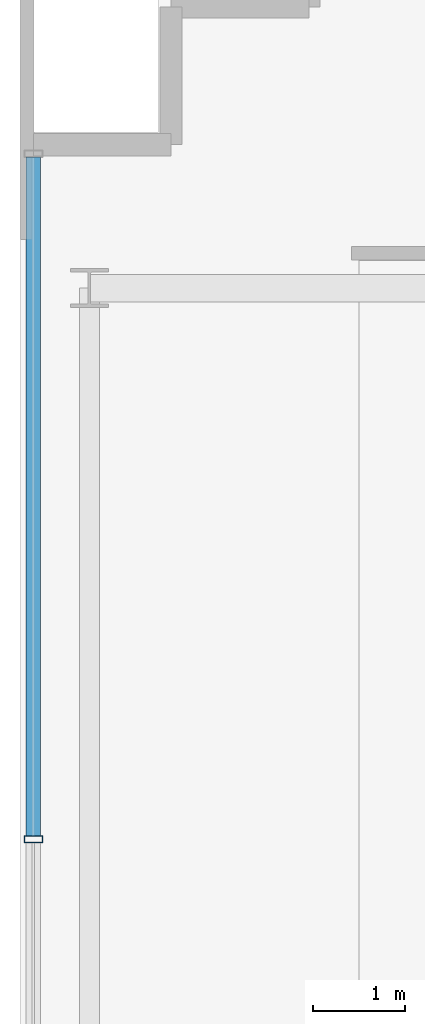
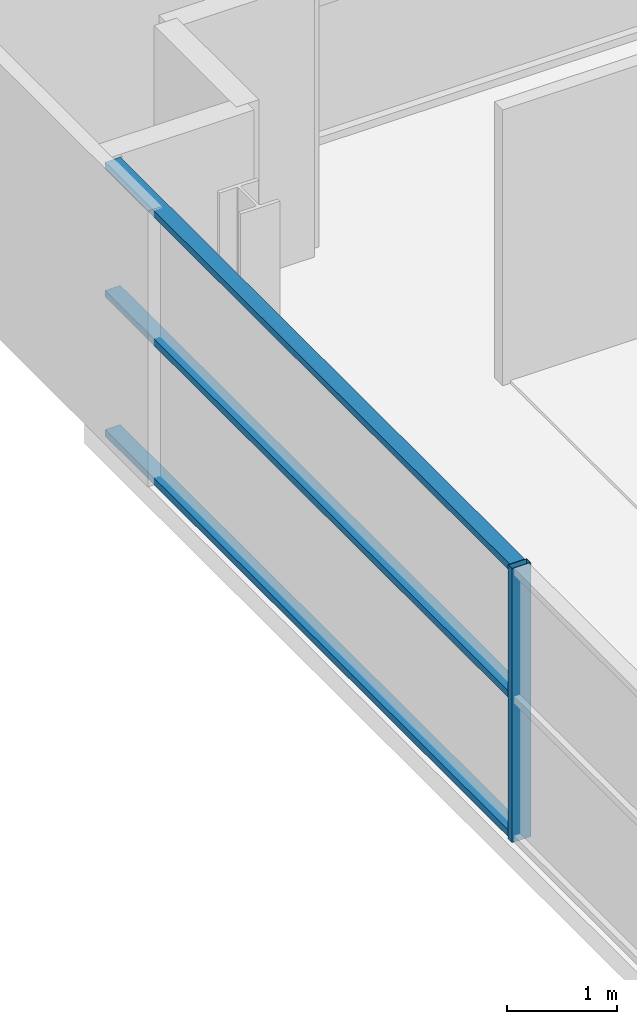
# One storey, part 10 of 30: 4 members, 1 element without a shape of its own.
"""IFC4 building model written with IfcOpenShell, lengths in metres."""

from ifc_helpers import new_model, si_unit, direction, frame, origin, origin_2d, place, context, subcontext, project, spatial, hollow_rectangle, extrude, source, transform, mapped, material, layer, layer_set, material_profile, profile_set, type_object, element, aggregate, save


model = new_model("IFC4")

# Units and contexts
model_context = context("Model", 3, precision=1e-05, world=origin(), true_north=direction((0.0, 1.0)))
body_context = subcontext(model_context, "Body", "Model", "MODEL_VIEW")
ifc_project = project(units=[si_unit("LENGTHUNIT", "METRE"), si_unit("AREAUNIT", "SQUARE_METRE"), si_unit("VOLUMEUNIT", "CUBIC_METRE"), si_unit("PLANEANGLEUNIT", "RADIAN"), si_unit("MASSUNIT", "GRAM", prefix="KILO")], contexts=[model_context])

# Site, building, storey
site_placement = place(None, origin())
site = spatial("IfcSite", under=ifc_project, at=site_placement, CompositionType="ELEMENT")
building_placement = place(site_placement, origin())
building = spatial("IfcBuilding", under=site, at=building_placement, Name="Zarnakvel Exchange Tower", CompositionType="ELEMENT")
storey_placement = place(building_placement, frame((0.0, 0.0, 50.5)))
storey = spatial("IfcBuildingStorey", under=building, at=storey_placement, Name="L13", CompositionType="ELEMENT", Elevation=50.5)

# Curtain wall, members
ifc_material = material(Name="Architectural Bronze Anodised Aluminium", Category="aluminium")
ifc_layer = layer(ifc_material, 0.199951171875)
ifc_layer_set = layer_set([ifc_layer], Name="Architectural Bronze Anodised Aluminium")
curtain_wall_type = type_object("IfcCurtainWallType", Name="CW-04", PredefinedType="NOTDEFINED", material=ifc_layer_set)
curtain_wall_placement = place(storey_placement, origin())
curtain_wall = element("IfcCurtainWall", 1, at=curtain_wall_placement, inside=storey, type_object=curtain_wall_type, Name="L13 Curtain Wall CW-L13-W1 (CW-04)", PredefinedType="NOTDEFINED")
ifc_material_profile_1 = material_profile(ifc_material, hollow_rectangle(XDim=0.159912109375, YDim=0.074951171875, WallThickness=0.00390625, at=origin_2d()))
ifc_profile_set_1 = profile_set([ifc_material_profile_1], Name="Architectural Bronze Anodised Aluminium")
member_type_1 = type_object("IfcMemberType", Name="CWT-04", PredefinedType="USERDEFINED", material=ifc_profile_set_1)
shared_shape_1 = source(origin(), body_context, "Body", "SweptSolid", [
    extrude(hollow_rectangle(XDim=0.159912109375, YDim=0.074951171875, WallThickness=0.00390625, at=origin_2d()), origin(), (0.0, 0.0, 1.0), 7.387451171875),
])
member_1_placement = place(storey_placement, frame((-32.4599609375, 7.53759765625, 0.03759765625), z_axis=(0.0, 1.0, 0.0), x_axis=(-1.0, 0.0, 0.0)))
member_1 = element("IfcMember", 2, at=member_1_placement, type_object=member_type_1, Name="CW-04 transom 4.1", ObjectType="TRANSOM", PredefinedType="USERDEFINED", context=body_context, shape_type="MappedRepresentation", body=[
    mapped(shared_shape_1, transform((0.0, 0.0, 0.0), x_axis=(1.0, 0.0, 0.0), y_axis=(0.0, 1.0, 0.0), z_axis=(0.0, 0.0, 1.0), scale=1.0)),
])
member_2_placement = place(storey_placement, frame((-32.4599609375, 7.53759765625, 1.588623046875), z_axis=(0.0, 1.0, 0.0), x_axis=(-1.0, 0.0, 0.0)))
member_2 = element("IfcMember", 3, at=member_2_placement, type_object=member_type_1, Name="CW-04 transom 4.2", ObjectType="TRANSOM", PredefinedType="USERDEFINED", context=body_context, shape_type="MappedRepresentation", body=[
    mapped(shared_shape_1, transform((0.0, 0.0, 0.0), x_axis=(1.0, 0.0, 0.0), y_axis=(0.0, 1.0, 0.0), z_axis=(0.0, 0.0, 1.0), scale=1.0)),
])
member_3_placement = place(storey_placement, frame((-32.4599609375, 7.53759765625, 3.017578125), z_axis=(0.0, 1.0, 0.0), x_axis=(-1.0, 0.0, 0.0)))
member_3 = element("IfcMember", 4, at=member_3_placement, type_object=member_type_1, Name="CW-04 transom 4.3", ObjectType="TRANSOM", PredefinedType="USERDEFINED", context=body_context, shape_type="MappedRepresentation", body=[
    mapped(shared_shape_1, transform((0.0, 0.0, 0.0), x_axis=(1.0, 0.0, 0.0), y_axis=(0.0, 1.0, 0.0), z_axis=(0.0, 0.0, 1.0), scale=1.0)),
])
ifc_material_profile_2 = material_profile(ifc_material, hollow_rectangle(XDim=0.199951171875, YDim=0.074951171875, WallThickness=0.0048828125, at=origin_2d()))
ifc_profile_set_2 = profile_set([ifc_material_profile_2], Name="Architectural Bronze Anodised Aluminium")
member_type_2 = type_object("IfcMemberType", Name="CWM-04", PredefinedType="MULLION", material=ifc_profile_set_2)
shared_shape_2 = source(origin(), body_context, "Body", "SweptSolid", [
    extrude(hollow_rectangle(XDim=0.199951171875, YDim=0.074951171875, WallThickness=0.0048828125, at=origin_2d()), origin(), (0.0, 0.0, 1.0), 3.054931640625),
])
member_4_placement = place(storey_placement, frame((-32.4599609375, 7.5, 0.0), z_axis=(0.0, 0.0, 1.0), x_axis=(-1.0, 0.0, 0.0)))
member_4 = element("IfcMember", 5, at=member_4_placement, type_object=member_type_2, Name="CW-04 mullion 4", PredefinedType="MULLION", context=body_context, shape_type="MappedRepresentation", body=[
    mapped(shared_shape_2, transform((0.0, 0.0, 0.0), x_axis=(1.0, 0.0, 0.0), y_axis=(0.0, 1.0, 0.0), z_axis=(0.0, 0.0, 1.0), scale=1.0)),
])
aggregate(curtain_wall, [member_4, member_1, member_2, member_3])

save(model, "model.ifc")
